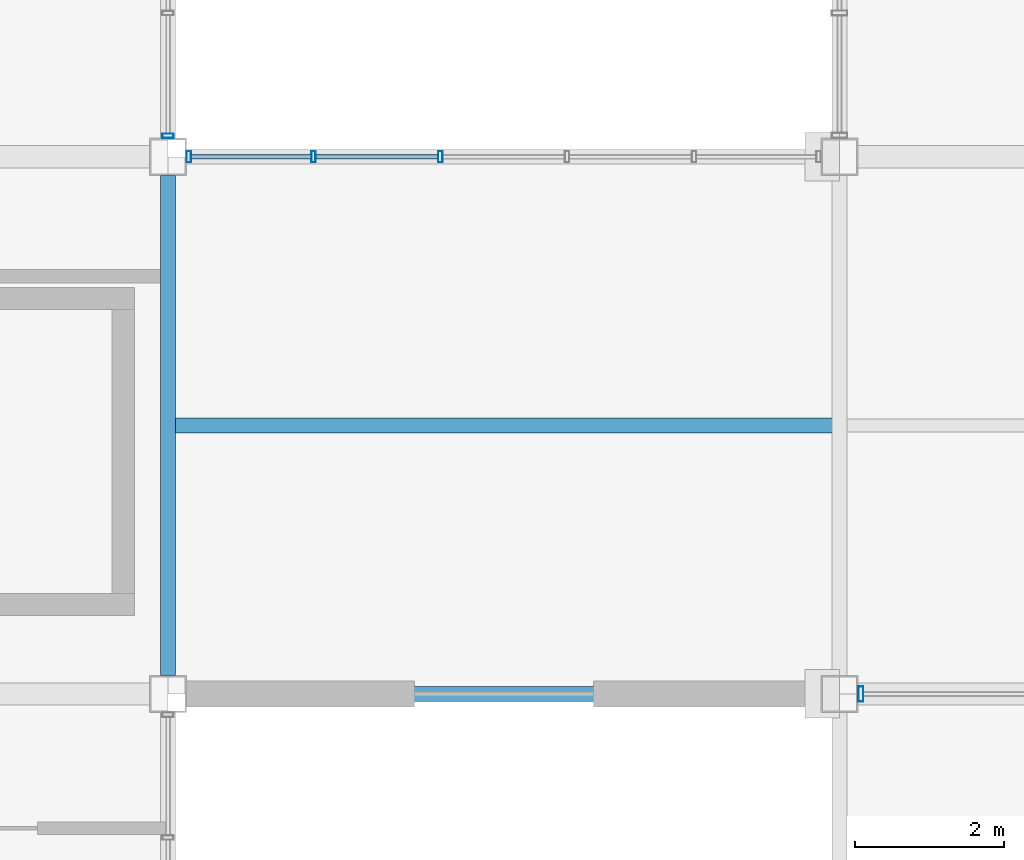
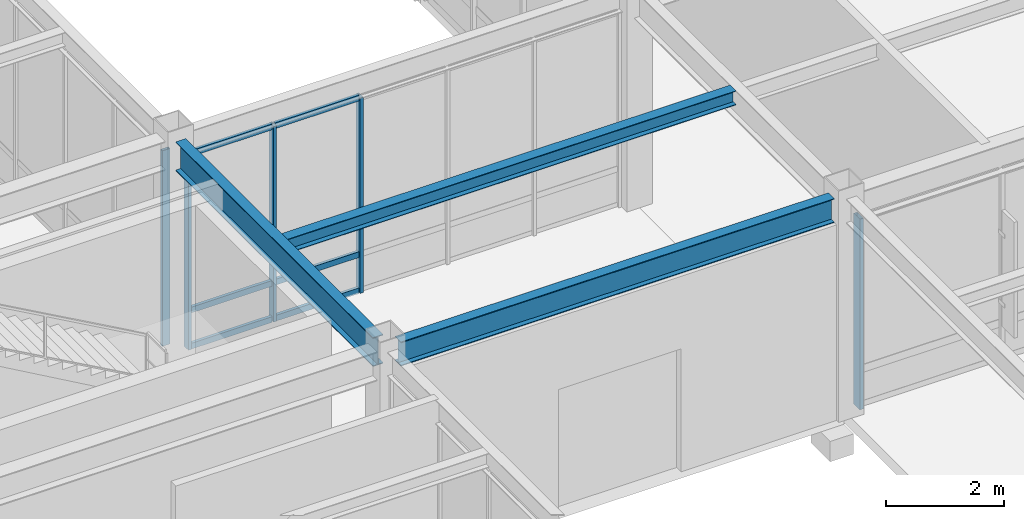
# One storey, part 20 of 112: 11 members, 3 beams, 3 elements without a shape of their own.
"""IFC4 building model written with IfcOpenShell, lengths in metres."""

import ifcopenshell
import ifcopenshell.guid

model = None  # the IFC model being written
_history = None  # IfcOwnerHistory: only IFC2X3 demands one
_inside = {}  # id of a spatial element -> (the spatial element, [elements in it])
_under = {}  # id of a project, library or spatial element -> (it, [spatial elements below it])
_declared = {}  # id of a project -> (the project, [libraries it declares])
_typed = {}  # id of a type object -> (the type object, [elements of that type])
_made_of = {}  # id of a material, layer set ... -> (it, [elements and type objects made of it])


def new_model(schema):
    """Start an empty IFC model of exactly this schema.

    Asked for "IFC4X3", IfcOpenShell would pick the latest addendum, in which some entities
    have other attributes; the version numbers below select the first issue.
    IFC2X3 requires an IfcOwnerHistory on every rooted entity: one is made here for all.
    """
    global model, _history
    if schema == "IFC4X3":
        model = ifcopenshell.file(schema_version=(4, 3, 0, 0))
    else:
        model = ifcopenshell.file(schema=schema)
    _inside.clear()
    _under.clear()
    _declared.clear()
    _typed.clear()
    _made_of.clear()
    _history = None
    if model.schema == "IFC2X3":
        org = make("IfcOrganization", Name="unknown")
        user = make(
            "IfcPersonAndOrganization",
            ThePerson=make("IfcPerson", FamilyName="unknown"),
            TheOrganization=org,
        )
        app = make(
            "IfcApplication",
            ApplicationDeveloper=org,
            Version="unknown",
            ApplicationFullName="unknown",
            ApplicationIdentifier="unknown",
        )
        _history = make(
            "IfcOwnerHistory",
            OwningUser=user,
            OwningApplication=app,
            ChangeAction="ADDED",
            CreationDate=0,
        )
    return model


def make(cls, **values):
    """One entity of the class cls with the attributes given. An attribute that is None is left unset."""
    return model.create_entity(
        cls, **{name: value for name, value in values.items() if value is not None}
    )


def rooted(cls, **values):
    """An entity with a GlobalId (a new one), such as an element, a storey or a relation."""
    return make(cls, GlobalId=ifcopenshell.guid.new(), OwnerHistory=_history, **values)


def si_unit(unit_type, name, prefix=None):
    """IfcSIUnit, for example si_unit("LENGTHUNIT", "METRE", prefix="MILLI")."""
    return make("IfcSIUnit", UnitType=unit_type, Prefix=prefix, Name=name)


def assignment(units):
    """IfcUnitAssignment: the units of a project."""
    return None if units is None else make("IfcUnitAssignment", Units=units)


def point(xyz):
    """IfcCartesianPoint."""
    return None if xyz is None else make("IfcCartesianPoint", Coordinates=xyz)


def direction(xyz):
    """IfcDirection."""
    return None if xyz is None else make("IfcDirection", DirectionRatios=xyz)


def frame(location, z_axis=None, x_axis=None):
    """IfcAxis2Placement3D, a coordinate frame: its origin and axes. An axis left out is left unset."""
    return make(
        "IfcAxis2Placement3D",
        Location=point(location),
        Axis=direction(z_axis),
        RefDirection=direction(x_axis),
    )


def frame_2d(location, x_axis=None):
    """IfcAxis2Placement2D, a coordinate frame in the plane: its origin and x axis."""
    return make(
        "IfcAxis2Placement2D", Location=point(location), RefDirection=direction(x_axis)
    )


def origin():
    """The frame at (0, 0, 0) with its axes left unset."""
    return frame((0.0, 0.0, 0.0))


def origin_2d():
    """The frame at (0, 0) in the plane with its x axis left unset."""
    return frame_2d((0.0, 0.0))


def place(relative_to, where):
    """IfcLocalPlacement: puts the frame where relative to a parent placement (None: the world)."""
    return make(
        "IfcLocalPlacement", PlacementRelTo=relative_to, RelativePlacement=where
    )


def context(
    kind, dimensions, precision=None, world=None, true_north=None, identifier=None
):
    """IfcGeometricRepresentationContext, for example the 3D "Model" context."""
    return make(
        "IfcGeometricRepresentationContext",
        ContextIdentifier=identifier,
        ContextType=kind,
        CoordinateSpaceDimension=dimensions,
        Precision=precision,
        WorldCoordinateSystem=world,
        TrueNorth=true_north,
    )


def subcontext(parent, identifier, kind, view, scale=None):
    """IfcGeometricRepresentationSubContext, for example "Body" below "Model"."""
    return make(
        "IfcGeometricRepresentationSubContext",
        ContextIdentifier=identifier,
        ContextType=kind,
        ParentContext=parent,
        TargetScale=scale,
        TargetView=view,
    )


def project(units=None, contexts=None):
    """IfcProject with its units and contexts."""
    return rooted(
        "IfcProject",
        Name="project",
        RepresentationContexts=contexts,
        UnitsInContext=assignment(units),
    )


def spatial(cls, under=None, at=None, **own):
    """A site, building, storey or space (cls), placed at a placement, below another one or the project."""
    s = rooted(cls, ObjectPlacement=at, **own)
    if under is not None:
        _under.setdefault(under.id(), (under, []))[1].append(s)
    return s


def profile(cls, at=None, kind="AREA", **sizes):
    """A parametric profile (cls). Its sizes go by their IFC names, for example OverallWidth=200.0."""
    return make(cls, ProfileType=kind, Position=at, **sizes)


def hollow_rectangle(**sizes):
    """IfcRectangleHollowProfileDef."""
    return profile("IfcRectangleHollowProfileDef", **sizes)


def i_section(**sizes):
    """IfcIShapeProfileDef."""
    return profile("IfcIShapeProfileDef", **sizes)


def extrude(swept, where, along, depth):
    """IfcExtrudedAreaSolid: the profile swept, set in the frame where, extruded along a direction by depth."""
    return make(
        "IfcExtrudedAreaSolid",
        SweptArea=swept,
        Position=where,
        ExtrudedDirection=direction(along),
        Depth=depth,
    )


def shape(context_of_items, identifier, shape_type, items):
    """IfcShapeRepresentation: the items that make up one representation, for example the "Body"."""
    return make(
        "IfcShapeRepresentation",
        ContextOfItems=context_of_items,
        RepresentationIdentifier=identifier,
        RepresentationType=shape_type,
        Items=items,
    )


def material(Name=None, Category=None):
    """IfcMaterial."""
    return make("IfcMaterial", Name=Name, Category=Category)


def material_profile(
    of_material, cross_section, Name=None, Category=None, Priority=None
):
    """IfcMaterialProfile: a cross section and its material."""
    return make(
        "IfcMaterialProfile",
        Name=Name,
        Material=of_material,
        Profile=cross_section,
        Priority=Priority,
        Category=Category,
    )


def profile_set(profiles, Name=None, composite=None):
    """IfcMaterialProfileSet."""
    return make(
        "IfcMaterialProfileSet",
        Name=Name,
        MaterialProfiles=profiles,
        CompositeProfile=composite,
    )


def made_of(thing, what):
    """Note that an element or type object is made of a material, layer set ...; save() writes the relation."""
    if what is not None:
        _made_of.setdefault(what.id(), (what, []))[1].append(thing)
    return thing


def type_object(cls, material=None, **own):
    """A type object (cls), such as IfcWallType, which elements share."""
    return made_of(rooted(cls, **own), material)


def element(
    cls,
    number,
    at=None,
    inside=None,
    cuts=None,
    type_object=None,
    material=None,
    context=None,
    identifier="Body",
    shape_type=None,
    held_by="IfcProductDefinitionShape",
    body=None,
    shapes=None,
    **own,
):
    """One element of the class cls, such as IfcWall. Its Tag is "e" and its number.

    at: its placement. inside: the storey or other place that contains it. cuts: it is an
    opening in that element (IfcRelVoidsElement). A single representation is given by context,
    identifier, shape_type and body (its items); several are given by shapes. held_by: the class
    of the entity that holds the representations. save() writes the other relations.
    """
    e = rooted(cls, Tag="e%d" % number, ObjectPlacement=at, **own)
    if body is not None:
        shapes = [shape(context, identifier, shape_type, body)]
    if shapes is not None:
        e.Representation = make(held_by, Representations=shapes)
    if inside is not None:
        _inside.setdefault(inside.id(), (inside, []))[1].append(e)
    if cuts is not None:
        rooted(
            "IfcRelVoidsElement", RelatingBuildingElement=cuts, RelatedOpeningElement=e
        )
    if type_object is not None:
        _typed.setdefault(type_object.id(), (type_object, []))[1].append(e)
    return made_of(e, material)


def aggregate(whole, parts):
    """IfcRelAggregates: a whole, such as a stair, and the parts it consists of."""
    return rooted("IfcRelAggregates", RelatingObject=whole, RelatedObjects=parts)


def save(model, path):
    """Write the relations noted so far, then the file.

    IfcRelAggregates (storeys below a building ...), IfcRelContainedInSpatialStructure (elements
    in a storey), IfcRelDefinesByType, IfcRelAssociatesMaterial and IfcRelDeclares: one each for
    every whole, place, type object, material and project.
    """
    for whole, parts in _under.values():
        aggregate(whole, parts)
    for where, things in _inside.values():
        rooted(
            "IfcRelContainedInSpatialStructure",
            RelatedElements=things,
            RelatingStructure=where,
        )
    for kind, things in _typed.values():
        rooted("IfcRelDefinesByType", RelatedObjects=things, RelatingType=kind)
    for what, things in _made_of.values():
        rooted("IfcRelAssociatesMaterial", RelatedObjects=things, RelatingMaterial=what)
    for by, libraries in _declared.values():
        rooted("IfcRelDeclares", RelatingContext=by, RelatedDefinitions=libraries)
    model.write(path)


model = new_model("IFC4")

# Units and contexts
model_context = context("Model", 3, precision=1e-05, world=origin(), true_north=direction((0.0, 1.0)))
body_context = subcontext(model_context, "Body", "Model", "MODEL_VIEW")
ifc_project = project(units=[si_unit("LENGTHUNIT", "METRE"), si_unit("AREAUNIT", "SQUARE_METRE"), si_unit("VOLUMEUNIT", "CUBIC_METRE"), si_unit("PLANEANGLEUNIT", "RADIAN"), si_unit("MASSUNIT", "GRAM", prefix="KILO")], contexts=[model_context])

# Site, building, storey
site_placement = place(None, origin())
site = spatial("IfcSite", under=ifc_project, at=site_placement, CompositionType="ELEMENT")
building_placement = place(site_placement, origin())
building = spatial("IfcBuilding", under=site, at=building_placement, Name="Kazanami Central Library", CompositionType="ELEMENT")
storey_placement = place(building_placement, origin())
storey = spatial("IfcBuildingStorey", under=building, at=storey_placement, Name="L01", CompositionType="ELEMENT", Elevation=0.0)

# Beams
ifc_material_1 = material(Name="Steel SN400B (235 MPa)", Category="steel")
ifc_material_profile_1 = material_profile(ifc_material_1, i_section(OverallWidth=0.199951171875, OverallDepth=0.2939453125, WebThickness=0.008056640625, FlangeThickness=0.011962890625, at=origin_2d()), Name="H-294x200x8x12")
ifc_profile_set_1 = profile_set([ifc_material_profile_1], Name="Steel SN400B (235 MPa)")
beam_type_1 = type_object("IfcBeamType", Name="BM-B-S5", PredefinedType="JOIST", material=ifc_profile_set_1)
beam_1_placement = place(storey_placement, frame((36.097900390625, 25.199951171875, 4.407958984375), z_axis=(1.0, 0.0, 0.0), x_axis=(0.0, 1.0, 0.0)))
element("IfcBeam", 1, at=beam_1_placement, inside=storey, type_object=beam_type_1, Name="Composite Secondary Joist B-S5 L01 Bay 5/D.1", PredefinedType="JOIST", context=body_context, shape_type="SweptSolid", body=[
    extrude(i_section(OverallWidth=0.199951171875, OverallDepth=0.2939453125, WebThickness=0.008056640625, FlangeThickness=0.011962890625, at=origin_2d()), origin(), (0.0, 0.0, 1.0), 8.80419921875),
])
ifc_material_2 = material(Name="Steel SN490B (325 MPa)", Category="steel")
ifc_material_profile_2 = material_profile(ifc_material_2, i_section(OverallWidth=0.199951171875, OverallDepth=0.60009765625, WebThickness=0.010986328125, FlangeThickness=0.01708984375, at=origin_2d()), Name="H-600x200x11x17")
ifc_profile_set_2 = profile_set([ifc_material_profile_2], Name="Steel SN490B (325 MPa)")
beam_type_2 = type_object("IfcBeamType", Name="BM-G-Y1", PredefinedType="BEAM", material=ifc_profile_set_2)
beam_2_placement = place(storey_placement, frame((36.0, 21.847900390625, 4.2548828125), z_axis=(0.0, 1.0, 0.0), x_axis=(-1.0, 0.0, 0.0)))
element("IfcBeam", 2, at=beam_2_placement, inside=storey, type_object=beam_type_2, Name="Girder G-Y1 L01 5/D-E", PredefinedType="BEAM", context=body_context, shape_type="SweptSolid", body=[
    extrude(i_section(OverallWidth=0.199951171875, OverallDepth=0.60009765625, WebThickness=0.010986328125, FlangeThickness=0.01708984375, at=origin_2d()), origin(), (0.0, 0.0, 1.0), 6.7041015625),
])
ifc_material_profile_3 = material_profile(ifc_material_2, i_section(OverallWidth=0.199951171875, OverallDepth=0.5, WebThickness=0.010009765625, FlangeThickness=0.01611328125, at=origin_2d()), Name="H-500x200x10x16")
ifc_profile_set_3 = profile_set([ifc_material_profile_3], Name="Steel SN490B (325 MPa)")
beam_type_3 = type_object("IfcBeamType", Name="BM-SP-1", PredefinedType="SPANDREL", material=ifc_profile_set_3)
beam_3_placement = place(storey_placement, frame((36.248046875, 21.60009765625, 4.304931640625), z_axis=(1.0, 0.0, 0.0), x_axis=(0.0, 1.0, 0.0)))
element("IfcBeam", 3, at=beam_3_placement, inside=storey, type_object=beam_type_3, Name="Covered Link Bridge Girder SP-1 L01 D/5-6", PredefinedType="SPANDREL", context=body_context, shape_type="SweptSolid", body=[
    extrude(i_section(OverallWidth=0.199951171875, OverallDepth=0.5, WebThickness=0.010009765625, FlangeThickness=0.01611328125, at=origin_2d()), origin(), (0.0, 0.0, 1.0), 8.50390625),
])

# Curtain wall, member
ifc_material_3 = material(Name="Acid-Etched Low-E Laminated Glass", Category="glass")
curtain_wall_type_1 = type_object("IfcCurtainWallType", Name="CW-8425x3955-M275", PredefinedType="USERDEFINED", material=ifc_material_3)
curtain_wall_1_placement = place(storey_placement, origin())
curtain_wall_1 = element("IfcCurtainWall", 4, at=curtain_wall_1_placement, inside=storey, type_object=curtain_wall_type_1, Name="Unitised Curtain Wall CW-01 L01 S-D-05", ObjectType="UNITISED CURTAIN WALL", PredefinedType="USERDEFINED")
ifc_material_4 = material(Name="Anodised Aluminium A6063-T5", Category="aluminium")
ifc_material_profile_4 = material_profile(ifc_material_4, hollow_rectangle(XDim=0.070068359375, YDim=0.2099609375, WallThickness=0.0048828125, at=origin_2d()), Name="ALU-MULL-70x210x5")
ifc_profile_set_4 = profile_set([ifc_material_profile_4], Name="Anodised Aluminium A6063-T5")
member_type_1 = type_object("IfcMemberType", Name="MEM-CW-M1", PredefinedType="MULLION", material=ifc_profile_set_4)
member_1_placement = place(storey_placement, frame((45.284912109375, 21.60009765625, 0.0), z_axis=(0.0, 0.0, 1.0), x_axis=(1.0, 0.0, 0.0)))
member_1 = element("IfcMember", 5, at=member_1_placement, type_object=member_type_1, Name="CW-01 mullion 1", PredefinedType="MULLION", context=body_context, shape_type="SweptSolid", body=[
    extrude(hollow_rectangle(XDim=0.070068359375, YDim=0.2099609375, WallThickness=0.0048828125, at=origin_2d()), origin(), (0.0, 0.0, 1.0), 3.955078125),
])
aggregate(curtain_wall_1, [member_1])

# Curtain wall, members
curtain_wall_type_2 = type_object("IfcCurtainWallType", Name="CW-8500x4055-M180", PredefinedType="USERDEFINED", material=ifc_material_3)
curtain_wall_2_placement = place(storey_placement, origin())
curtain_wall_2 = element("IfcCurtainWall", 6, at=curtain_wall_2_placement, inside=storey, type_object=curtain_wall_type_2, Name="Covered Link Bridge Curtain Wall CW-02 L01 N-E-04", ObjectType="UNITISED CURTAIN WALL", PredefinedType="USERDEFINED")
ifc_material_profile_5 = material_profile(ifc_material_4, hollow_rectangle(XDim=0.06005859375, YDim=0.14990234375, WallThickness=0.00390625, at=origin_2d()), Name="ALU-MULL-60x150x4")
ifc_profile_set_5 = profile_set([ifc_material_profile_5], Name="Anodised Aluminium A6063-T5")
member_type_2 = type_object("IfcMemberType", Name="MEM-CW-M3", PredefinedType="MULLION", material=ifc_profile_set_5)
member_2_placement = place(storey_placement, frame((39.64990234375, 28.800048828125, 0.0), z_axis=(0.0, 0.0, 1.0), x_axis=(-1.0, 0.0, 0.0)))
member_2 = element("IfcMember", 7, at=member_2_placement, type_object=member_type_2, Name="CW-02 mullion 4", PredefinedType="MULLION", context=body_context, shape_type="SweptSolid", body=[
    extrude(hollow_rectangle(XDim=0.06005859375, YDim=0.14990234375, WallThickness=0.00390625, at=origin_2d()), origin(), (0.0, 0.0, 1.0), 4.054931640625),
])
member_3_placement = place(storey_placement, frame((37.949951171875, 28.800048828125, 0.0), z_axis=(0.0, 0.0, 1.0), x_axis=(-1.0, 0.0, 0.0)))
member_3 = element("IfcMember", 8, at=member_3_placement, type_object=member_type_2, Name="CW-02 mullion 5", PredefinedType="MULLION", context=body_context, shape_type="SweptSolid", body=[
    extrude(hollow_rectangle(XDim=0.06005859375, YDim=0.14990234375, WallThickness=0.00390625, at=origin_2d()), origin(), (0.0, 0.0, 1.0), 4.054931640625),
])
member_4_placement = place(storey_placement, frame((36.280029296875, 28.800048828125, 0.0), z_axis=(0.0, 0.0, 1.0), x_axis=(-1.0, 0.0, 0.0)))
member_4 = element("IfcMember", 9, at=member_4_placement, type_object=member_type_2, Name="CW-02 mullion 6", PredefinedType="MULLION", context=body_context, shape_type="SweptSolid", body=[
    extrude(hollow_rectangle(XDim=0.06005859375, YDim=0.14990234375, WallThickness=0.00390625, at=origin_2d()), origin(), (0.0, 0.0, 1.0), 4.054931640625),
])

# Curtain wall, member
curtain_wall_type_3 = type_object("IfcCurtainWallType", Name="CW-6700x4055-M180", PredefinedType="USERDEFINED", material=ifc_material_3)
curtain_wall_3_placement = place(storey_placement, origin())
curtain_wall_3 = element("IfcCurtainWall", 10, at=curtain_wall_3_placement, inside=storey, type_object=curtain_wall_type_3, Name="Covered Link Bridge Curtain Wall CW-09 L01 E-5-04", ObjectType="UNITISED CURTAIN WALL", PredefinedType="USERDEFINED")
member_5_placement = place(storey_placement, frame((36.0, 29.080078125, 0.0), z_axis=(0.0, 0.0, 1.0), x_axis=(0.0, -1.0, 0.0)))
member_5 = element("IfcMember", 11, at=member_5_placement, type_object=member_type_2, Name="CW-09 mullion 5", PredefinedType="MULLION", context=body_context, shape_type="SweptSolid", body=[
    extrude(hollow_rectangle(XDim=0.06005859375, YDim=0.14990234375, WallThickness=0.00390625, at=origin_2d()), origin(), (0.0, 0.0, 1.0), 4.054931640625),
])
aggregate(curtain_wall_3, [member_5])

# Member
ifc_material_profile_6 = material_profile(ifc_material_4, hollow_rectangle(XDim=0.06005859375, YDim=0.1201171875, WallThickness=0.00341796875, at=origin_2d()), Name="ALU-TRAN-60x120x3.5")
ifc_profile_set_6 = profile_set([ifc_material_profile_6], Name="Anodised Aluminium A6063-T5")
member_type_3 = type_object("IfcMemberType", Name="MEM-CW-T3", PredefinedType="USERDEFINED", material=ifc_profile_set_6)
member_6_placement = place(storey_placement, frame((39.6201171875, 28.800048828125, 0.030029296875), z_axis=(-1.0, 0.0, 0.0), x_axis=(0.0, -1.0, 0.0)))
member_6 = element("IfcMember", 12, at=member_6_placement, type_object=member_type_3, Name="CW-02 transom 4.1", ObjectType="TRANSOM", PredefinedType="USERDEFINED", context=body_context, shape_type="SweptSolid", body=[
    extrude(hollow_rectangle(XDim=0.06005859375, YDim=0.1201171875, WallThickness=0.00341796875, at=origin_2d()), origin(), (0.0, 0.0, 1.0), 1.64013671875),
])

member_7_placement = place(storey_placement, frame((39.6201171875, 28.800048828125, 0.780029296875), z_axis=(-1.0, 0.0, 0.0), x_axis=(0.0, -1.0, 0.0)))
member_7 = element("IfcMember", 13, at=member_7_placement, type_object=member_type_3, Name="CW-02 transom 4.2", ObjectType="TRANSOM", PredefinedType="USERDEFINED", context=body_context, shape_type="SweptSolid", body=[
    extrude(hollow_rectangle(XDim=0.06005859375, YDim=0.1201171875, WallThickness=0.00341796875, at=origin_2d()), origin(), (0.0, 0.0, 1.0), 1.64013671875),
])

member_8_placement = place(storey_placement, frame((39.6201171875, 28.800048828125, 4.02490234375), z_axis=(-1.0, 0.0, 0.0), x_axis=(0.0, -1.0, 0.0)))
member_8 = element("IfcMember", 14, at=member_8_placement, type_object=member_type_3, Name="CW-02 transom 4.3", ObjectType="TRANSOM", PredefinedType="USERDEFINED", context=body_context, shape_type="SweptSolid", body=[
    extrude(hollow_rectangle(XDim=0.06005859375, YDim=0.1201171875, WallThickness=0.00341796875, at=origin_2d()), origin(), (0.0, 0.0, 1.0), 1.64013671875),
])

member_9_placement = place(storey_placement, frame((37.919921875, 28.800048828125, 0.030029296875), z_axis=(-1.0, 0.0, 0.0), x_axis=(0.0, -1.0, 0.0)))
member_9 = element("IfcMember", 15, at=member_9_placement, type_object=member_type_3, Name="CW-02 transom 5.1", ObjectType="TRANSOM", PredefinedType="USERDEFINED", context=body_context, shape_type="SweptSolid", body=[
    extrude(hollow_rectangle(XDim=0.06005859375, YDim=0.1201171875, WallThickness=0.00341796875, at=origin_2d()), origin(), (0.0, 0.0, 1.0), 1.60986328125),
])

member_10_placement = place(storey_placement, frame((37.919921875, 28.800048828125, 0.780029296875), z_axis=(-1.0, 0.0, 0.0), x_axis=(0.0, -1.0, 0.0)))
member_10 = element("IfcMember", 16, at=member_10_placement, type_object=member_type_3, Name="CW-02 transom 5.2", ObjectType="TRANSOM", PredefinedType="USERDEFINED", context=body_context, shape_type="SweptSolid", body=[
    extrude(hollow_rectangle(XDim=0.06005859375, YDim=0.1201171875, WallThickness=0.00341796875, at=origin_2d()), origin(), (0.0, 0.0, 1.0), 1.60986328125),
])

member_11_placement = place(storey_placement, frame((37.919921875, 28.800048828125, 4.02490234375), z_axis=(-1.0, 0.0, 0.0), x_axis=(0.0, -1.0, 0.0)))
member_11 = element("IfcMember", 17, at=member_11_placement, type_object=member_type_3, Name="CW-02 transom 5.3", ObjectType="TRANSOM", PredefinedType="USERDEFINED", context=body_context, shape_type="SweptSolid", body=[
    extrude(hollow_rectangle(XDim=0.06005859375, YDim=0.1201171875, WallThickness=0.00341796875, at=origin_2d()), origin(), (0.0, 0.0, 1.0), 1.60986328125),
])

aggregate(curtain_wall_2, [member_2, member_3, member_4, member_6, member_7, member_8, member_9, member_10, member_11])

save(model, "model.ifc")
